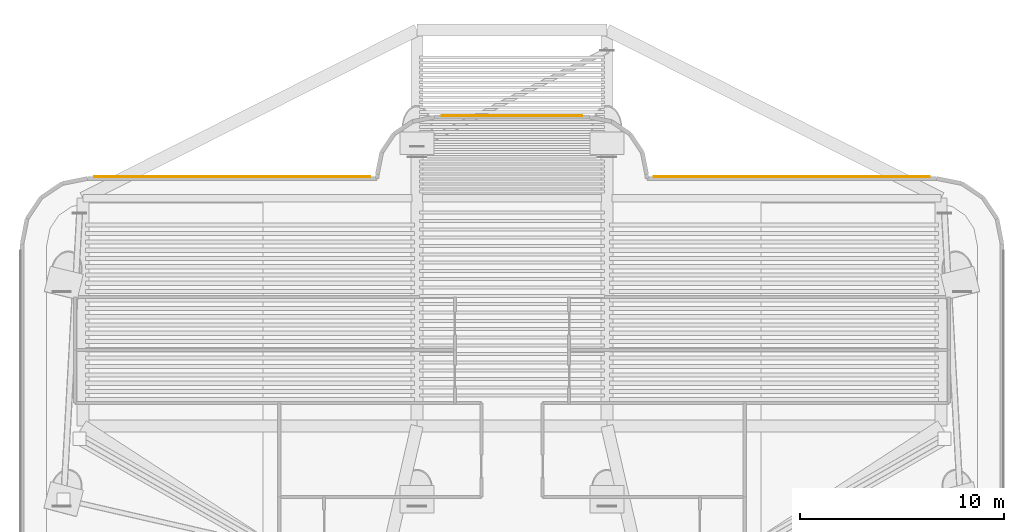
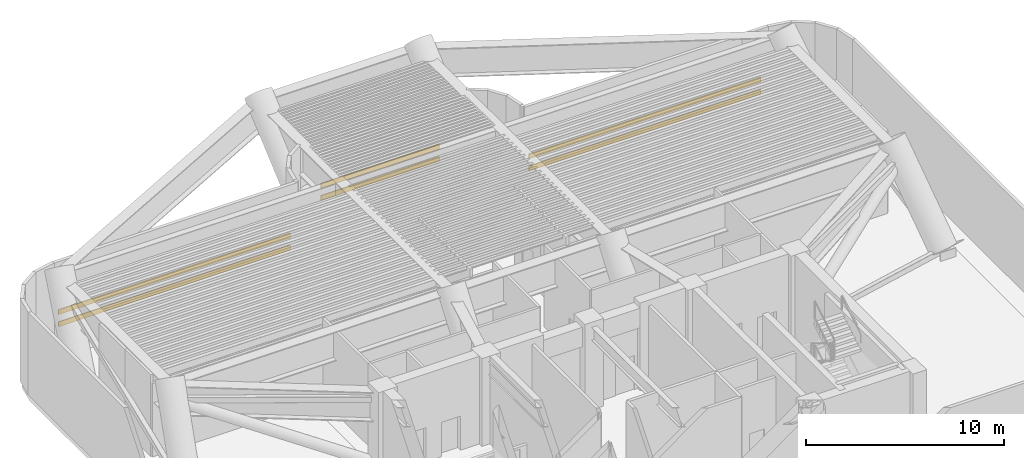
# One storey, part 11 of 11: 6 shading devices.
"""IFC4 building model written with IfcOpenShell, lengths in metres."""

from ifc_helpers import new_model, si_unit, direction, frame, origin, origin_2d, place, context, subcontext, project, spatial, rectangle, extrude, source, transform, mapped, material, material_profile, profile_set, type_object, element, save


model = new_model("IFC4")

# Units and contexts
model_context = context("Model", 3, precision=1e-05, world=origin(), true_north=direction((0.0, 1.0)))
body_context = subcontext(model_context, "Body", "Model", "MODEL_VIEW")
ifc_project = project(units=[si_unit("LENGTHUNIT", "METRE"), si_unit("AREAUNIT", "SQUARE_METRE"), si_unit("VOLUMEUNIT", "CUBIC_METRE"), si_unit("PLANEANGLEUNIT", "RADIAN"), si_unit("MASSUNIT", "GRAM", prefix="KILO")], contexts=[model_context])

# Site, building, storey
site_placement = place(None, origin())
site = spatial("IfcSite", under=ifc_project, at=site_placement, CompositionType="ELEMENT")
building_placement = place(site_placement, origin())
building = spatial("IfcBuilding", under=site, at=building_placement, Name="Brelvock Crest Care Tower", CompositionType="ELEMENT")
storey_placement = place(building_placement, frame((0.0, 0.0, 79.919921875)))
storey = spatial("IfcBuildingStorey", under=building, at=storey_placement, Name="L20", CompositionType="ELEMENT", Elevation=79.919921875)

# Shading devices
ifc_material = material(Name="Aluminium 6063-T6", Category="aluminium")
ifc_material_profile = material_profile(ifc_material, rectangle(XDim=0.044921875, YDim=0.300048828125, at=origin_2d()), Name="LOUVRE45x300")
ifc_profile_set = profile_set([ifc_material_profile], Name="Aluminium 6063-T6")
shading_device_type = type_object("IfcShadingDeviceType", Name="SHD-LV1", PredefinedType="JALOUSIE", material=ifc_profile_set)
shared_shape_1 = source(origin(), body_context, "Body", "SweptSolid", [
    extrude(rectangle(XDim=0.044921875, YDim=0.300048828125, at=origin_2d()), origin(), (0.0, 0.0, 1.0), 13.5),
])
for number, where, z_axis, x_axis, name in (
    (1, (15.550048828125, 36.074951171875, 1.10009765625), (1.0, 0.0, 0.0), (0.0, 1.0, 0.0), "L20 Crown Acoustic Louvre 18-1"),
    (2, (15.550048828125, 36.074951171875, 1.85009765625), (1.0, 0.0, 0.0), (0.0, 1.0, 0.0), "L20 Crown Acoustic Louvre 18-2"),
    (3, (42.949951171875, 36.074951171875, 1.10009765625), (1.0, 0.0, 0.0), (0.0, 1.0, 0.0), "L20 Crown Acoustic Louvre 30-1"),
    (4, (42.949951171875, 36.074951171875, 1.85009765625), (1.0, 0.0, 0.0), (0.0, 1.0, 0.0), "L20 Crown Acoustic Louvre 30-2"),
):
    element("IfcShadingDevice", number, at=place(storey_placement, frame(where, z_axis=z_axis, x_axis=x_axis)), inside=storey, type_object=shading_device_type, Name=name, PredefinedType="JALOUSIE", context=body_context, shape_type="MappedRepresentation", body=[
        mapped(shared_shape_1, transform((0.0, 0.0, 0.0), x_axis=(1.0, 0.0, 0.0), y_axis=(0.0, 1.0, 0.0), z_axis=(0.0, 0.0, 1.0), scale=1.0)),
    ])
shared_shape_2 = source(origin(), body_context, "Body", "SweptSolid", [
    extrude(rectangle(XDim=0.044921875, YDim=0.300048828125, at=origin_2d()), origin(), (0.0, 0.0, 1.0), 6.89990234375),
])
for number, where, z_axis, x_axis, name in (
    (5, (32.550048828125, 39.074951171875, 1.10009765625), (1.0, 0.0, 0.0), (0.0, 1.0, 0.0), "L20 Crown Acoustic Louvre 24-1"),
    (6, (32.550048828125, 39.074951171875, 1.85009765625), (1.0, 0.0, 0.0), (0.0, 1.0, 0.0), "L20 Crown Acoustic Louvre 24-2"),
):
    element("IfcShadingDevice", number, at=place(storey_placement, frame(where, z_axis=z_axis, x_axis=x_axis)), inside=storey, type_object=shading_device_type, Name=name, PredefinedType="JALOUSIE", context=body_context, shape_type="MappedRepresentation", body=[
        mapped(shared_shape_2, transform((0.0, 0.0, 0.0), x_axis=(1.0, 0.0, 0.0), y_axis=(0.0, 1.0, 0.0), z_axis=(0.0, 0.0, 1.0), scale=1.0)),
    ])

save(model, "model.ifc")
